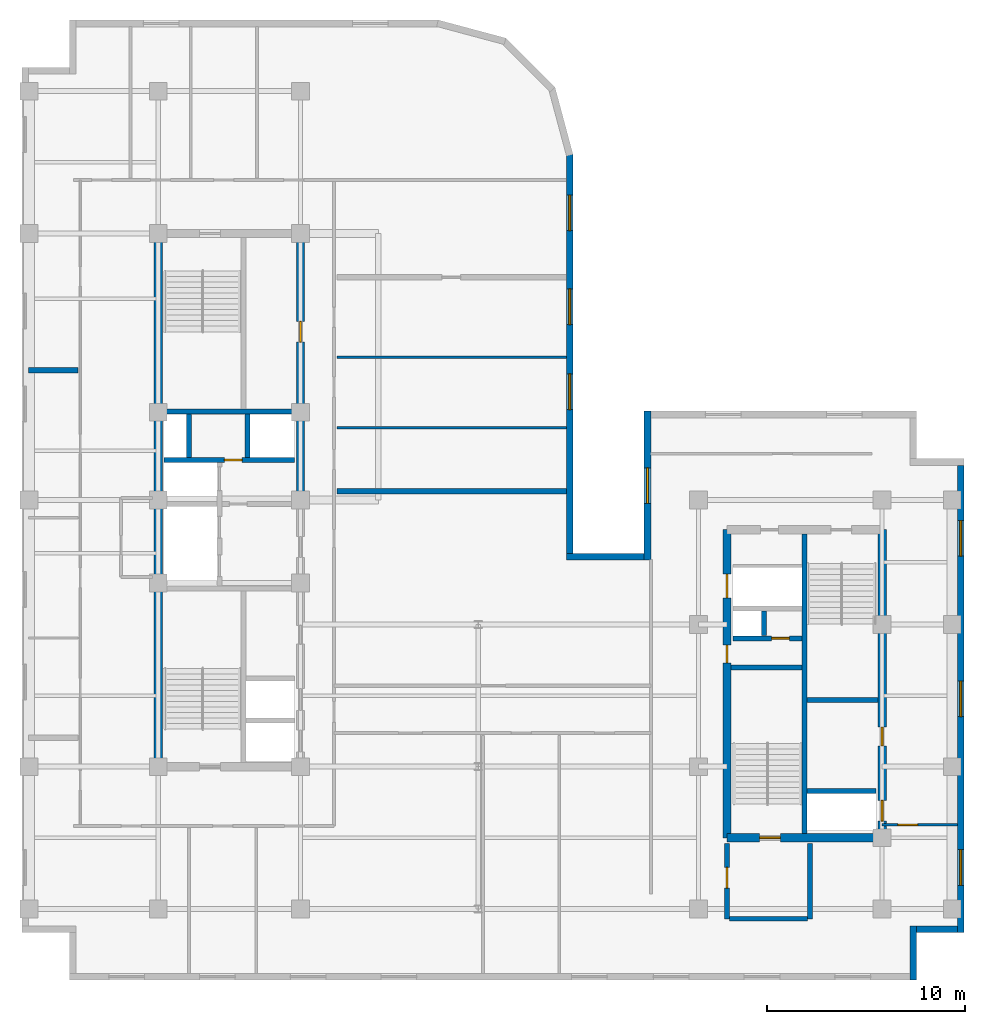
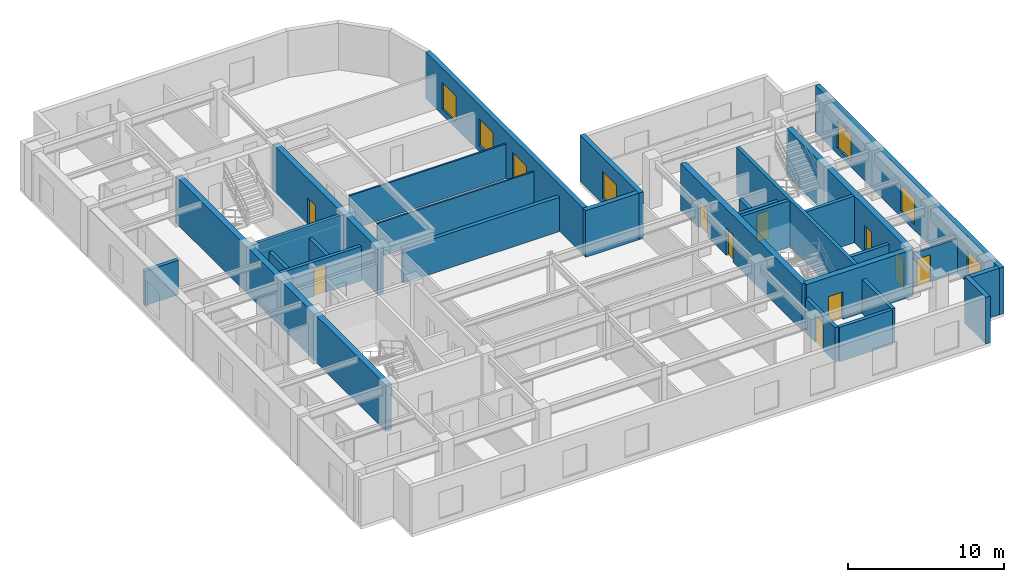
# One storey, part 5 of 10: 29 walls, 10 doors, 7 windows, 17 openings.
"""IFC4 building model written with IfcOpenShell, lengths in metres."""

from ifc_helpers import new_model, entity, si_unit, converted_unit, direction, frame, origin_with_axes, origin_2d_with_axis, place, context, subcontext, project, spatial, polyline, rectangle, outline, extrude, material, layer, layer_set, type_object, element, fill, save


model = new_model("IFC4")

# Units and contexts
model_context = context("Model", 3, precision=1e-05, world=origin_with_axes(), true_north=direction((0.0, 1.0)))
body_context = subcontext(model_context, "Body", "Model", "MODEL_VIEW")
ifc_project = project(units=[si_unit("LENGTHUNIT", "METRE"), si_unit("AREAUNIT", "SQUARE_METRE"), si_unit("VOLUMEUNIT", "CUBIC_METRE"), converted_unit("PLANEANGLEUNIT", "DEGREE", entity("IfcPlaneAngleMeasure", 0.017453292519943295), si_unit("PLANEANGLEUNIT", "RADIAN"), dimensions=[0, 0, 0, 0, 0, 0, 0]), si_unit("MASSUNIT", "GRAM", prefix="KILO"), si_unit("THERMODYNAMICTEMPERATUREUNIT", "KELVIN")], contexts=[model_context])

# Site, building, storey
site_placement = place(None, origin_with_axes())
site = spatial("IfcSite", under=ifc_project, at=site_placement, CompositionType="ELEMENT")
building_placement = place(site_placement, origin_with_axes())
building = spatial("IfcBuilding", under=site, at=building_placement, Name="Varnlund Millrace Tower", CompositionType="ELEMENT")
storey_placement = place(building_placement, frame((0.0, 0.0, 228.6), z_axis=(0.0, 0.0, 1.0), x_axis=(1.0, 0.0, 0.0)))
storey = spatial("IfcBuildingStorey", under=building, at=storey_placement, Name="L56", CompositionType="ELEMENT", Elevation=228.6)

# Wall
ifc_material_1 = material(Name="Concrete C60/75", Category="concrete")
ifc_layer_1 = layer(ifc_material_1, 0.42, Name="Concrete C60/75")
ifc_layer_set_1 = layer_set([ifc_layer_1], Name="Concrete C60/75")
wall_type_1 = type_object("IfcWallType", Name="Type-CoreWall-Shear-420-C60", PredefinedType="SHEAR", material=ifc_layer_set_1)
wall_1_placement = place(storey_placement, frame((11.4, 10.8, 0.0), z_axis=(0.0, 0.0, 1.0), x_axis=(0.0, 1.0, 0.0)))
element("IfcWall", 1, at=wall_1_placement, inside=storey, type_object=wall_type_1, Name="Type-CoreWall-Shear-420-C60", PredefinedType="SHEAR", context=body_context, shape_type="SweptSolid", body=[
    extrude(outline(polyline([(0.0, -0.21), (27.0, -0.21), (27.0, 0.21), (0.0, 0.21), (0.0, -0.21)])), origin_with_axes(), (0.0, 0.0, 1.0), 3.66),
])

# Wall, opening, door
wall_2_placement = place(storey_placement, frame((18.6, 24.3, 0.0), z_axis=(0.0, 0.0, 1.0), x_axis=(0.0, 1.0, 0.0)))
wall_2 = element("IfcWall", 2, at=wall_2_placement, inside=storey, type_object=wall_type_1, Name="Type-CoreWall-Shear-420-C60", PredefinedType="SHEAR", context=body_context, shape_type="SweptSolid", body=[
    extrude(outline(polyline([(0.0, -0.21), (13.5, -0.21), (13.5, 0.21), (0.0, 0.21), (0.0, -0.21)])), origin_with_axes(), (0.0, 0.0, 1.0), 3.66),
])
opening_1_placement = place(wall_2_placement, frame((8.525, 0.0, 0.0), z_axis=(0.0, 0.0, 1.0), x_axis=(1.0, 0.0, 0.0)))
opening_1 = element("IfcOpeningElement", 3, at=opening_1_placement, cuts=wall_2, Name="Opening L56:DR-RECL-M", PredefinedType="OPENING", context=body_context, shape_type="SweptSolid", body=[
    extrude(rectangle(XDim=1.05, YDim=0.44, at=origin_2d_with_axis()), origin_with_axes(), (0.0, 0.0, 1.0), 2.15),
])
ifc_material_2 = material(Name="Smoke-barrier hollow steel fire door", Category="steel")
door_type_1 = type_object("IfcDoorType", Name="Type-FireDoor-Lobby-1050X2150", OperationType="NOTDEFINED", PredefinedType="DOOR", material=ifc_material_2)
door_1_placement = place(wall_2_placement, frame((8.525, 0.0, 0.0), z_axis=(0.0, 0.0, 1.0), x_axis=(1.0, 0.0, 0.0)))
door_1 = element("IfcDoor", 4, at=door_1_placement, inside=storey, type_object=door_type_1, Name="Type-FireDoor-Lobby-1050X2150", OperationType="SINGLE_SWING_LEFT", OverallHeight=2.15, OverallWidth=1.05, PredefinedType="DOOR", context=body_context, shape_type="SweptSolid", body=[
    extrude(rectangle(XDim=1.05, YDim=0.09, at=origin_2d_with_axis()), origin_with_axes(), (0.0, 0.0, 1.0), 2.15),
])
fill(opening_1, door_1)

# Wall, openings, doors
wall_3_placement = place(storey_placement, frame((40.2, 7.2, 0.0), z_axis=(0.0, 0.0, 1.0), x_axis=(0.0, 1.0, 0.0)))
wall_3 = element("IfcWall", 5, at=wall_3_placement, inside=storey, type_object=wall_type_1, Name="Type-CoreWall-Shear-420-C60", PredefinedType="SHEAR", context=body_context, shape_type="SweptSolid", body=[
    extrude(outline(polyline([(0.0, -0.21), (15.6, -0.21), (15.6, 0.21), (0.0, 0.21), (0.0, -0.21)])), origin_with_axes(), (0.0, 0.0, 1.0), 3.66),
])
opening_2_placement = place(wall_3_placement, frame((12.75, 0.0, 0.0), z_axis=(0.0, 0.0, 1.0), x_axis=(1.0, 0.0, 0.0)))
opening_2 = element("IfcOpeningElement", 6, at=opening_2_placement, cuts=wall_3, Name="Opening L56:LD-SRV2", PredefinedType="OPENING", context=body_context, shape_type="SweptSolid", body=[
    extrude(rectangle(XDim=1.2, YDim=0.44, at=origin_2d_with_axis()), origin_with_axes(), (0.0, 0.0, 1.0), 2.15),
])
opening_3_placement = place(wall_3_placement, frame((9.3, 0.0, 0.0), z_axis=(0.0, 0.0, 1.0), x_axis=(1.0, 0.0, 0.0)))
opening_3 = element("IfcOpeningElement", 7, at=opening_3_placement, cuts=wall_3, Name="Opening L56:DR-CB-JAN", PredefinedType="OPENING", context=body_context, shape_type="SweptSolid", body=[
    extrude(rectangle(XDim=0.9, YDim=0.44, at=origin_2d_with_axis()), origin_with_axes(), (0.0, 0.0, 1.0), 2.15),
])
ifc_material_3 = material(Name="Fire-rated hollow steel service closet door", Category="steel")
door_type_2 = type_object("IfcDoorType", Name="Type-FireDoor-Closet-900X2150", OperationType="NOTDEFINED", PredefinedType="DOOR", material=ifc_material_3)
door_2_placement = place(wall_3_placement, frame((9.3, 0.0, 0.0), z_axis=(0.0, 0.0, 1.0), x_axis=(1.0, 0.0, 0.0)))
door_2 = element("IfcDoor", 8, at=door_2_placement, inside=storey, type_object=door_type_2, Name="Type-FireDoor-Closet-900X2150", OperationType="SINGLE_SWING_RIGHT", OverallHeight=2.15, OverallWidth=0.9, PredefinedType="DOOR", context=body_context, shape_type="SweptSolid", body=[
    extrude(rectangle(XDim=0.9, YDim=0.09, at=origin_2d_with_axis()), origin_with_axes(), (0.0, 0.0, 1.0), 2.15),
])
fill(opening_3, door_2)
ifc_material_4 = material(Name="Heavy-duty freight sliding landing door")
door_type_3 = type_object("IfcDoorType", Name="Type-LiftLandingDoor-Service-1200X2150", OperationType="NOTDEFINED", PredefinedType="DOOR", material=ifc_material_4)
door_3_placement = place(wall_3_placement, frame((12.75, 0.0, 0.0), z_axis=(0.0, 0.0, 1.0), x_axis=(1.0, 0.0, 0.0)))
door_3 = element("IfcDoor", 9, at=door_3_placement, inside=storey, type_object=door_type_3, Name="Type-LiftLandingDoor-Service-1200X2150", OperationType="DOUBLE_DOOR_SLIDING", OverallHeight=2.15, OverallWidth=1.2, PredefinedType="DOOR", context=body_context, shape_type="SweptSolid", body=[
    extrude(rectangle(XDim=1.2, YDim=0.09, at=origin_2d_with_axis()), origin_with_axes(), (0.0, 0.0, 1.0), 2.15),
])
fill(opening_2, door_3)

# Wall, opening, door
wall_4_placement = place(storey_placement, frame((40.2, 7.2, 0.0), z_axis=(0.0, 0.0, 1.0), x_axis=(1.0, 0.0, 0.0)))
wall_4 = element("IfcWall", 10, at=wall_4_placement, inside=storey, type_object=wall_type_1, Name="Type-CoreWall-Shear-420-C60", PredefinedType="SHEAR", context=body_context, shape_type="SweptSolid", body=[
    extrude(outline(polyline([(0.0, -0.21), (7.85, -0.21), (7.85, 0.21), (0.0, 0.21), (0.0, -0.21)])), origin_with_axes(), (0.0, 0.0, 1.0), 3.66),
])
opening_4_placement = place(wall_4_placement, frame((2.175, 0.0, 0.0), z_axis=(0.0, 0.0, 1.0), x_axis=(1.0, 0.0, 0.0)))
opening_4 = element("IfcOpeningElement", 11, at=opening_4_placement, cuts=wall_4, Name="Opening L56:DR-STB1", PredefinedType="OPENING", context=body_context, shape_type="SweptSolid", body=[
    extrude(rectangle(XDim=1.05, YDim=0.44, at=origin_2d_with_axis()), origin_with_axes(), (0.0, 0.0, 1.0), 2.15),
])
ifc_material_5 = material(Name="Fire-rated hollow steel door", Category="steel")
door_type_4 = type_object("IfcDoorType", Name="Type-FireDoor-Stair-1050X2150", OperationType="NOTDEFINED", PredefinedType="DOOR", material=ifc_material_5)
door_4_placement = place(wall_4_placement, frame((2.175, 0.0, 0.0), z_axis=(0.0, 0.0, 1.0), x_axis=(1.0, 0.0, 0.0)))
door_4 = element("IfcDoor", 12, at=door_4_placement, inside=storey, type_object=door_type_4, Name="Type-FireDoor-Stair-1050X2150", OperationType="SINGLE_SWING_LEFT", OverallHeight=2.15, OverallWidth=1.05, PredefinedType="DOOR", context=body_context, shape_type="SweptSolid", body=[
    extrude(rectangle(XDim=1.05, YDim=0.09, at=origin_2d_with_axis()), origin_with_axes(), (0.0, 0.0, 1.0), 2.15),
])
fill(opening_4, door_4)

# Wall, openings, doors
wall_5_placement = place(storey_placement, frame((48.05, 7.2, 0.0), z_axis=(0.0, 0.0, 1.0), x_axis=(0.0, 1.0, 0.0)))
wall_5 = element("IfcWall", 13, at=wall_5_placement, inside=storey, type_object=wall_type_1, Name="Type-CoreWall-Shear-420-C60", PredefinedType="SHEAR", context=body_context, shape_type="SweptSolid", body=[
    extrude(outline(polyline([(0.0, -0.21), (15.6, -0.21), (15.6, 0.21), (0.0, 0.21), (0.0, -0.21)])), origin_with_axes(), (0.0, 0.0, 1.0), 3.66),
])
opening_5_placement = place(wall_5_placement, frame((1.375, 0.0, 0.0), z_axis=(0.0, 0.0, 1.0), x_axis=(1.0, 0.0, 0.0)))
opening_5 = element("IfcOpeningElement", 14, at=opening_5_placement, cuts=wall_5, Name="Opening L56:LD-ELV-H3", PredefinedType="OPENING", context=body_context, shape_type="SweptSolid", body=[
    extrude(rectangle(XDim=1.05, YDim=0.44, at=origin_2d_with_axis()), origin_with_axes(), (0.0, 0.0, 1.0), 2.15),
])
opening_6_placement = place(wall_5_placement, frame((5.125, 0.0, 0.0), z_axis=(0.0, 0.0, 1.0), x_axis=(1.0, 0.0, 0.0)))
opening_6 = element("IfcOpeningElement", 15, at=opening_6_placement, cuts=wall_5, Name="Opening L56:DR-CB-WC", PredefinedType="OPENING", context=body_context, shape_type="SweptSolid", body=[
    extrude(rectangle(XDim=0.95, YDim=0.44, at=origin_2d_with_axis()), origin_with_axes(), (0.0, 0.0, 1.0), 2.15),
])
ifc_material_6 = material(Name="Fire-rated hollow steel core service door", Category="steel")
door_type_5 = type_object("IfcDoorType", Name="Type-FireDoor-Service-950X2150", OperationType="NOTDEFINED", PredefinedType="DOOR", material=ifc_material_6)
door_5_placement = place(wall_5_placement, frame((5.125, 0.0, 0.0), z_axis=(0.0, 0.0, 1.0), x_axis=(1.0, 0.0, 0.0)))
door_5 = element("IfcDoor", 16, at=door_5_placement, inside=storey, type_object=door_type_5, Name="Type-FireDoor-Service-950X2150", OperationType="SINGLE_SWING_LEFT", OverallHeight=2.15, OverallWidth=0.95, PredefinedType="DOOR", context=body_context, shape_type="SweptSolid", body=[
    extrude(rectangle(XDim=0.95, YDim=0.09, at=origin_2d_with_axis()), origin_with_axes(), (0.0, 0.0, 1.0), 2.15),
])
fill(opening_6, door_5)
ifc_material_7 = material(Name="Architectural bronze sliding landing door")
door_type_6 = type_object("IfcDoorType", Name="Type-LiftLandingDoor-Compact-1050X2150", OperationType="NOTDEFINED", PredefinedType="DOOR", material=ifc_material_7)
door_6_placement = place(wall_5_placement, frame((1.375, 0.0, 0.0), z_axis=(0.0, 0.0, 1.0), x_axis=(1.0, 0.0, 0.0)))
door_6 = element("IfcDoor", 17, at=door_6_placement, inside=storey, type_object=door_type_6, Name="Type-LiftLandingDoor-Compact-1050X2150", OperationType="SLIDING_TO_LEFT", OverallHeight=2.15, OverallWidth=1.05, PredefinedType="DOOR", context=body_context, shape_type="SweptSolid", body=[
    extrude(rectangle(XDim=1.05, YDim=0.09, at=origin_2d_with_axis()), origin_with_axes(), (0.0, 0.0, 1.0), 2.15),
])
fill(opening_5, door_6)

# Wall, opening, window
ifc_material_8 = material(Name="Precast concrete C50/60", Category="concrete")
ifc_layer_2 = layer(ifc_material_8, 0.34, Name="Precast concrete C50/60")
ifc_layer_set_2 = layer_set([ifc_layer_2], Name="Precast concrete C50/60")
wall_type_2 = type_object("IfcWallType", Name="Type-ExtWall-Precast-Upper-340", PredefinedType="SOLIDWALL", material=ifc_layer_set_2)
wall_6_placement = place(storey_placement, frame((36.17, 21.26, 0.0), z_axis=(0.0, 0.0, 1.0), x_axis=(0.0, 1.0, 0.0)))
wall_6 = element("IfcWall", 18, at=wall_6_placement, inside=storey, type_object=wall_type_2, Name="Type-ExtWall-Precast-Upper-340", PredefinedType="SOLIDWALL", context=body_context, shape_type="SweptSolid", body=[
    extrude(outline(polyline([(0.0, -0.17), (7.54, -0.17), (7.54, 0.17), (0.0, 0.17), (0.0, -0.17)])), origin_with_axes(), (0.0, 0.0, 1.0), 3.66),
])
opening_7_placement = place(wall_6_placement, frame((3.77, 0.0, 0.45), z_axis=(0.0, 0.0, 1.0), x_axis=(1.0, 0.0, 0.0)))
opening_7 = element("IfcOpeningElement", 19, at=opening_7_placement, cuts=wall_6, Name="Opening L56:WN-01", PredefinedType="OPENING", context=body_context, shape_type="SweptSolid", body=[
    extrude(rectangle(XDim=1.8, YDim=0.36, at=origin_2d_with_axis()), origin_with_axes(), (0.0, 0.0, 1.0), 2.1),
])
ifc_material_9 = material(Name="Argon low-e triple glazing in thermally broken bronze frame", Category="glass")
window_type = type_object("IfcWindowType", Name="Type-Window-Punched-1800X2100", PartitioningType="SINGLE_PANEL", PredefinedType="WINDOW", material=ifc_material_9)
window_1_placement = place(wall_6_placement, frame((3.77, 0.0, 0.45), z_axis=(0.0, 0.0, 1.0), x_axis=(1.0, 0.0, 0.0)))
window_1 = element("IfcWindow", 20, at=window_1_placement, inside=storey, type_object=window_type, Name="Type-Window-Punched-1800X2100", OverallHeight=2.1, OverallWidth=1.8, PredefinedType="WINDOW", context=body_context, shape_type="SweptSolid", body=[
    extrude(rectangle(XDim=1.8, YDim=0.09, at=origin_2d_with_axis()), origin_with_axes(), (0.0, 0.0, 1.0), 2.1),
])
fill(opening_7, window_1)

# Wall, openings, windows
wall_7_placement = place(storey_placement, frame((52.03, 26.06, 0.0), z_axis=(0.0, 0.0, 1.0), x_axis=(0.0, -1.0, 0.0)))
wall_7 = element("IfcWall", 21, at=wall_7_placement, inside=storey, type_object=wall_type_2, Name="Type-ExtWall-Precast-Upper-340", PredefinedType="SOLIDWALL", context=body_context, shape_type="SweptSolid", body=[
    extrude(outline(polyline([(0.0, -0.17), (23.66, -0.17), (23.66, 0.17), (0.0, 0.17), (0.0, -0.17)])), origin_with_axes(), (0.0, 0.0, 1.0), 3.66),
])
opening_8_placement = place(wall_7_placement, frame((3.696, 0.0, 0.45), z_axis=(0.0, 0.0, 1.0), x_axis=(1.0, 0.0, 0.0)))
opening_8 = element("IfcOpeningElement", 22, at=opening_8_placement, cuts=wall_7, Name="Opening L56:WN-04", PredefinedType="OPENING", context=body_context, shape_type="SweptSolid", body=[
    extrude(rectangle(XDim=1.8, YDim=0.36, at=origin_2d_with_axis()), origin_with_axes(), (0.0, 0.0, 1.0), 2.1),
])
opening_9_placement = place(wall_7_placement, frame((11.83, 0.0, 0.45), z_axis=(0.0, 0.0, 1.0), x_axis=(1.0, 0.0, 0.0)))
opening_9 = element("IfcOpeningElement", 23, at=opening_9_placement, cuts=wall_7, Name="Opening L56:WN-05", PredefinedType="OPENING", context=body_context, shape_type="SweptSolid", body=[
    extrude(rectangle(XDim=1.8, YDim=0.36, at=origin_2d_with_axis()), origin_with_axes(), (0.0, 0.0, 1.0), 2.1),
])
opening_10_placement = place(wall_7_placement, frame((20.364, 0.0, 0.45), z_axis=(0.0, 0.0, 1.0), x_axis=(1.0, 0.0, 0.0)))
opening_10 = element("IfcOpeningElement", 24, at=opening_10_placement, cuts=wall_7, Name="Opening L56:WN-06", PredefinedType="OPENING", context=body_context, shape_type="SweptSolid", body=[
    extrude(rectangle(XDim=1.8, YDim=0.36, at=origin_2d_with_axis()), origin_with_axes(), (0.0, 0.0, 1.0), 2.1),
])
window_2_placement = place(wall_7_placement, frame((3.696, 0.0, 0.45), z_axis=(0.0, 0.0, 1.0), x_axis=(1.0, 0.0, 0.0)))
window_2 = element("IfcWindow", 25, at=window_2_placement, inside=storey, type_object=window_type, Name="Type-Window-Punched-1800X2100", OverallHeight=2.1, OverallWidth=1.8, PredefinedType="WINDOW", context=body_context, shape_type="SweptSolid", body=[
    extrude(rectangle(XDim=1.8, YDim=0.09, at=origin_2d_with_axis()), origin_with_axes(), (0.0, 0.0, 1.0), 2.1),
])
fill(opening_8, window_2)
window_3_placement = place(wall_7_placement, frame((11.83, 0.0, 0.45), z_axis=(0.0, 0.0, 1.0), x_axis=(1.0, 0.0, 0.0)))
window_3 = element("IfcWindow", 26, at=window_3_placement, inside=storey, type_object=window_type, Name="Type-Window-Punched-1800X2100", OverallHeight=2.1, OverallWidth=1.8, PredefinedType="WINDOW", context=body_context, shape_type="SweptSolid", body=[
    extrude(rectangle(XDim=1.8, YDim=0.09, at=origin_2d_with_axis()), origin_with_axes(), (0.0, 0.0, 1.0), 2.1),
])
fill(opening_9, window_3)
window_4_placement = place(wall_7_placement, frame((20.364, 0.0, 0.45), z_axis=(0.0, 0.0, 1.0), x_axis=(1.0, 0.0, 0.0)))
window_4 = element("IfcWindow", 27, at=window_4_placement, inside=storey, type_object=window_type, Name="Type-Window-Punched-1800X2100", OverallHeight=2.1, OverallWidth=1.8, PredefinedType="WINDOW", context=body_context, shape_type="SweptSolid", body=[
    extrude(rectangle(XDim=1.8, YDim=0.09, at=origin_2d_with_axis()), origin_with_axes(), (0.0, 0.0, 1.0), 2.1),
])
fill(opening_10, window_4)

# Walls
wall_8_placement = place(storey_placement, frame((51.86, 2.57, 0.0), z_axis=(0.0, 0.0, 1.0), x_axis=(-1.0, 0.0, 0.0)))
element("IfcWall", 28, at=wall_8_placement, inside=storey, type_object=wall_type_2, Name="Type-ExtWall-Precast-Upper-340", PredefinedType="SOLIDWALL", context=body_context, shape_type="SweptSolid", body=[
    extrude(outline(polyline([(0.0, -0.17), (2.06, -0.17), (2.06, 0.17), (0.0, 0.17), (0.0, -0.17)])), origin_with_axes(), (0.0, 0.0, 1.0), 3.66),
])
wall_9_placement = place(storey_placement, frame((49.63, 2.74, 0.0), z_axis=(0.0, 0.0, 1.0), x_axis=(0.0, -1.0, 0.0)))
element("IfcWall", 29, at=wall_9_placement, inside=storey, type_object=wall_type_2, Name="Type-ExtWall-Precast-Upper-340", PredefinedType="SOLIDWALL", context=body_context, shape_type="SweptSolid", body=[
    extrude(outline(polyline([(0.0, -0.17), (2.74, -0.17), (2.74, 0.17), (0.0, 0.17), (0.0, -0.17)])), origin_with_axes(), (0.0, 0.0, 1.0), 3.66),
])

# Wall, openings, windows
wall_10_placement = place(storey_placement, frame((32.23, 41.82, 0.0), z_axis=(0.0, 0.0, 1.0), x_axis=(0.0, -1.0, 0.0)))
wall_10 = element("IfcWall", 30, at=wall_10_placement, inside=storey, type_object=wall_type_2, Name="Type-ExtWall-Precast-Upper-340", PredefinedType="SOLIDWALL", context=body_context, shape_type="SweptSolid", body=[
    extrude(outline(polyline([(0.0, -0.17), (20.22, -0.17), (20.22, 0.17), (0.0, 0.17), (0.0, -0.17)])), origin_with_axes(), (0.0, 0.0, 1.0), 3.66),
])
opening_11_placement = place(wall_10_placement, frame((2.978, 0.0, 0.45), z_axis=(0.0, 0.0, 1.0), x_axis=(1.0, 0.0, 0.0)))
opening_11 = element("IfcOpeningElement", 31, at=opening_11_placement, cuts=wall_10, Name="Opening L56:WN-23", PredefinedType="OPENING", context=body_context, shape_type="SweptSolid", body=[
    extrude(rectangle(XDim=1.8, YDim=0.36, at=origin_2d_with_axis()), origin_with_axes(), (0.0, 0.0, 1.0), 2.1),
])
opening_12_placement = place(wall_10_placement, frame((7.732, 0.0, 0.45), z_axis=(0.0, 0.0, 1.0), x_axis=(1.0, 0.0, 0.0)))
opening_12 = element("IfcOpeningElement", 32, at=opening_12_placement, cuts=wall_10, Name="Opening L56:WN-24", PredefinedType="OPENING", context=body_context, shape_type="SweptSolid", body=[
    extrude(rectangle(XDim=1.8, YDim=0.36, at=origin_2d_with_axis()), origin_with_axes(), (0.0, 0.0, 1.0), 2.1),
])
opening_13_placement = place(wall_10_placement, frame((12.037, 0.0, 0.45), z_axis=(0.0, 0.0, 1.0), x_axis=(1.0, 0.0, 0.0)))
opening_13 = element("IfcOpeningElement", 33, at=opening_13_placement, cuts=wall_10, Name="Opening L56:WN-25", PredefinedType="OPENING", context=body_context, shape_type="SweptSolid", body=[
    extrude(rectangle(XDim=1.8, YDim=0.36, at=origin_2d_with_axis()), origin_with_axes(), (0.0, 0.0, 1.0), 2.1),
])
window_5_placement = place(wall_10_placement, frame((2.978, 0.0, 0.45), z_axis=(0.0, 0.0, 1.0), x_axis=(1.0, 0.0, 0.0)))
window_5 = element("IfcWindow", 34, at=window_5_placement, inside=storey, type_object=window_type, Name="Type-Window-Punched-1800X2100", OverallHeight=2.1, OverallWidth=1.8, PredefinedType="WINDOW", context=body_context, shape_type="SweptSolid", body=[
    extrude(rectangle(XDim=1.8, YDim=0.09, at=origin_2d_with_axis()), origin_with_axes(), (0.0, 0.0, 1.0), 2.1),
])
fill(opening_11, window_5)
window_6_placement = place(wall_10_placement, frame((7.732, 0.0, 0.45), z_axis=(0.0, 0.0, 1.0), x_axis=(1.0, 0.0, 0.0)))
window_6 = element("IfcWindow", 35, at=window_6_placement, inside=storey, type_object=window_type, Name="Type-Window-Punched-1800X2100", OverallHeight=2.1, OverallWidth=1.8, PredefinedType="WINDOW", context=body_context, shape_type="SweptSolid", body=[
    extrude(rectangle(XDim=1.8, YDim=0.09, at=origin_2d_with_axis()), origin_with_axes(), (0.0, 0.0, 1.0), 2.1),
])
fill(opening_12, window_6)
window_7_placement = place(wall_10_placement, frame((12.037, 0.0, 0.45), z_axis=(0.0, 0.0, 1.0), x_axis=(1.0, 0.0, 0.0)))
window_7 = element("IfcWindow", 36, at=window_7_placement, inside=storey, type_object=window_type, Name="Type-Window-Punched-1800X2100", OverallHeight=2.1, OverallWidth=1.8, PredefinedType="WINDOW", context=body_context, shape_type="SweptSolid", body=[
    extrude(rectangle(XDim=1.8, YDim=0.09, at=origin_2d_with_axis()), origin_with_axes(), (0.0, 0.0, 1.0), 2.1),
])
fill(opening_13, window_7)

# Walls
wall_11_placement = place(storey_placement, frame((32.06, 21.43, 0.0), z_axis=(0.0, 0.0, 1.0), x_axis=(1.0, 0.0, 0.0)))
element("IfcWall", 37, at=wall_11_placement, inside=storey, type_object=wall_type_2, Name="Type-ExtWall-Precast-Upper-340", PredefinedType="SOLIDWALL", context=body_context, shape_type="SweptSolid", body=[
    extrude(outline(polyline([(0.0, -0.17), (3.94, -0.17), (3.94, 0.17), (0.0, 0.17), (0.0, -0.17)])), origin_with_axes(), (0.0, 0.0, 1.0), 3.66),
])
ifc_material_10 = material(Name="Double-stud STC-60 conference acoustic partition", Category="gypsum")
ifc_layer_3 = layer(ifc_material_10, 0.28, Name="Double-stud STC-60 conference acoustic partition")
ifc_layer_set_3 = layer_set([ifc_layer_3], Name="Double-stud STC-60 conference acoustic partition")
wall_type_3 = type_object("IfcWallType", Name="Type-Partition-Acoustic-280", PredefinedType="PARTITIONING", material=ifc_layer_set_3)
wall_12_placement = place(storey_placement, frame((4.835, 30.863, 0.0), z_axis=(0.0, 0.0, 1.0), x_axis=(1.0, 0.0, 0.0)))
element("IfcWall", 38, at=wall_12_placement, inside=storey, type_object=wall_type_3, Name="Type-Partition-Acoustic-280", PredefinedType="PARTITIONING", context=body_context, shape_type="SweptSolid", body=[
    extrude(outline(polyline([(0.0, -0.14), (2.495, -0.14), (2.495, 0.14), (0.0, 0.14), (0.0, -0.14)])), origin_with_axes(), (0.0, 0.0, 1.0), 2.7),
])
wall_13_placement = place(storey_placement, frame((20.45, 24.743, 0.0), z_axis=(0.0, 0.0, 1.0), x_axis=(1.0, 0.0, 0.0)))
element("IfcWall", 39, at=wall_13_placement, inside=storey, type_object=wall_type_3, Name="Type-Partition-Acoustic-280", PredefinedType="PARTITIONING", context=body_context, shape_type="SweptSolid", body=[
    extrude(outline(polyline([(0.0, -0.14), (11.615, -0.14), (11.615, 0.14), (0.0, 0.14), (0.0, -0.14)])), origin_with_axes(), (0.0, 0.0, 1.0), 2.7),
])
ifc_material_11 = material(Name="Gypsum board tenant partition", Category="gypsum")
ifc_layer_4 = layer(ifc_material_11, 0.125, Name="Gypsum board tenant partition")
ifc_layer_set_4 = layer_set([ifc_layer_4], Name="Gypsum board tenant partition")
wall_type_4 = type_object("IfcWallType", Name="Type-Partition-Tenant-125", PredefinedType="PARTITIONING", material=ifc_layer_set_4)
for number, where, z_axis, x_axis, name in (
    (40, (20.45, 27.959, 0.0), (0.0, 0.0, 1.0), (1.0, 0.0, 0.0), "Type-Partition-Tenant-125"),
    (41, (20.45, 31.532, 0.0), (0.0, 0.0, 1.0), (1.0, 0.0, 0.0), "Type-Partition-Tenant-125"),
):
    element("IfcWall", number, at=place(storey_placement, frame(where, z_axis=z_axis, x_axis=x_axis)), inside=storey, type_object=wall_type_4, Name=name, PredefinedType="PARTITIONING", context=body_context, shape_type="SweptSolid", body=[
        extrude(outline(polyline([(0.0, -0.0625), (11.615, -0.0625), (11.615, 0.0625), (0.0, 0.0625), (0.0, -0.0625)])), origin_with_axes(), (0.0, 0.0, 1.0), 2.7),
    ])

# Wall, opening, door
wall_14_placement = place(storey_placement, frame((51.865, 7.85, 0.0), z_axis=(0.0, 0.0, 1.0), x_axis=(-1.0, 0.0, 0.0)))
wall_14 = element("IfcWall", 42, at=wall_14_placement, inside=storey, type_object=wall_type_4, Name="Type-Partition-Tenant-125", PredefinedType="PARTITIONING", context=body_context, shape_type="SweptSolid", body=[
    extrude(outline(polyline([(0.0, -0.0625), (3.815, -0.0625), (3.815, 0.0625), (0.0, 0.0625), (0.0, -0.0625)])), origin_with_axes(), (0.0, 0.0, 1.0), 2.7),
])
opening_14_placement = place(wall_14_placement, frame((2.515, 0.0, 0.0), z_axis=(0.0, 0.0, 1.0), x_axis=(1.0, 0.0, 0.0)))
opening_14 = element("IfcOpeningElement", 43, at=opening_14_placement, cuts=wall_14, Name="Opening L56:DR-WBS-01", PredefinedType="OPENING", context=body_context, shape_type="SweptSolid", body=[
    extrude(rectangle(XDim=1.0, YDim=0.145, at=origin_2d_with_axis()), origin_with_axes(), (0.0, 0.0, 1.0), 2.15),
])
ifc_material_12 = material(Name="Solid-core white oak and bronze frame door")
door_type_7 = type_object("IfcDoorType", Name="Type-IntDoor-Office-1000X2150", OperationType="NOTDEFINED", PredefinedType="DOOR", material=ifc_material_12)
door_7_placement = place(wall_14_placement, frame((2.515, 0.0, 0.0), z_axis=(0.0, 0.0, 1.0), x_axis=(1.0, 0.0, 0.0)))
door_7 = element("IfcDoor", 44, at=door_7_placement, inside=storey, type_object=door_type_7, Name="Type-IntDoor-Office-1000X2150", OperationType="SINGLE_SWING_LEFT", OverallHeight=2.15, OverallWidth=1.0, PredefinedType="DOOR", context=body_context, shape_type="SweptSolid", body=[
    extrude(rectangle(XDim=1.0, YDim=0.075, at=origin_2d_with_axis()), origin_with_axes(), (0.0, 0.0, 1.0), 2.15),
])
fill(opening_14, door_7)

ifc_layer_5 = layer(ifc_material_1, 0.25, Name="Concrete C60/75")
ifc_layer_set_5 = layer_set([ifc_layer_5], Name="Concrete C60/75")
wall_type_5 = type_object("IfcWallType", Name="Type-ShaftWall-Fire-250", PredefinedType="SOLIDWALL", material=ifc_layer_set_5)
wall_15_placement = place(storey_placement, frame((11.7, 26.325, 0.0), z_axis=(0.0, 0.0, 1.0), x_axis=(1.0, 0.0, 0.0)))
wall_15 = element("IfcWall", 45, at=wall_15_placement, inside=storey, type_object=wall_type_5, Name="Type-ShaftWall-Fire-250", PredefinedType="SOLIDWALL", context=body_context, shape_type="SweptSolid", body=[
    extrude(outline(polyline([(0.0, -0.125), (6.6, -0.125), (6.6, 0.125), (0.0, 0.125), (0.0, -0.125)])), origin_with_axes(), (0.0, 0.0, 1.0), 2.7),
])
opening_15_placement = place(wall_15_placement, frame((3.5, 0.0, 0.0), z_axis=(0.0, 0.0, 1.0), x_axis=(1.0, 0.0, 0.0)))
opening_15 = element("IfcOpeningElement", 46, at=opening_15_placement, cuts=wall_15, Name="Opening L56:DR-CA-ELC", PredefinedType="OPENING", context=body_context, shape_type="SweptSolid", body=[
    extrude(rectangle(XDim=0.9, YDim=0.27, at=origin_2d_with_axis()), origin_with_axes(), (0.0, 0.0, 1.0), 2.15),
])
door_8_placement = place(wall_15_placement, frame((3.5, 0.0, 0.0), z_axis=(0.0, 0.0, 1.0), x_axis=(1.0, 0.0, 0.0)))
door_8 = element("IfcDoor", 47, at=door_8_placement, inside=storey, type_object=door_type_2, Name="Type-FireDoor-Closet-900X2150", OperationType="SINGLE_SWING_LEFT", OverallHeight=2.15, OverallWidth=0.9, PredefinedType="DOOR", context=body_context, shape_type="SweptSolid", body=[
    extrude(rectangle(XDim=0.9, YDim=0.09, at=origin_2d_with_axis()), origin_with_axes(), (0.0, 0.0, 1.0), 2.15),
])
fill(opening_15, door_8)

# Walls
for number, where, z_axis, x_axis, name in (
    (48, (12.96, 26.45, 0.0), (0.0, 0.0, 1.0), (0.0, 1.0, 0.0), "Type-ShaftWall-Fire-250"),
    (49, (15.925, 26.45, 0.0), (0.0, 0.0, 1.0), (0.0, 1.0, 0.0), "Type-ShaftWall-Fire-250"),
):
    element("IfcWall", number, at=place(storey_placement, frame(where, z_axis=z_axis, x_axis=x_axis)), inside=storey, type_object=wall_type_5, Name=name, PredefinedType="SOLIDWALL", context=body_context, shape_type="SweptSolid", body=[
        extrude(outline(polyline([(0.0, -0.125), (2.2, -0.125), (2.2, 0.125), (0.0, 0.125), (0.0, -0.125)])), origin_with_axes(), (0.0, 0.0, 1.0), 2.7),
    ])

# Wall, opening, door
wall_16_placement = place(storey_placement, frame((40.5, 17.3, 0.0), z_axis=(0.0, 0.0, 1.0), x_axis=(1.0, 0.0, 0.0)))
wall_16 = element("IfcWall", 50, at=wall_16_placement, inside=storey, type_object=wall_type_5, Name="Type-ShaftWall-Fire-250", PredefinedType="SOLIDWALL", context=body_context, shape_type="SweptSolid", body=[
    extrude(outline(polyline([(0.0, -0.125), (3.5, -0.125), (3.5, 0.125), (0.0, 0.125), (0.0, -0.125)])), origin_with_axes(), (0.0, 0.0, 1.0), 2.7),
])
opening_16_placement = place(wall_16_placement, frame((2.4, 0.0, 0.0), z_axis=(0.0, 0.0, 1.0), x_axis=(1.0, 0.0, 0.0)))
opening_16 = element("IfcOpeningElement", 51, at=opening_16_placement, cuts=wall_16, Name="Opening L56:DR-CB-ELC", PredefinedType="OPENING", context=body_context, shape_type="SweptSolid", body=[
    extrude(rectangle(XDim=0.9, YDim=0.27, at=origin_2d_with_axis()), origin_with_axes(), (0.0, 0.0, 1.0), 2.15),
])
door_9_placement = place(wall_16_placement, frame((2.4, 0.0, 0.0), z_axis=(0.0, 0.0, 1.0), x_axis=(1.0, 0.0, 0.0)))
door_9 = element("IfcDoor", 52, at=door_9_placement, inside=storey, type_object=door_type_2, Name="Type-FireDoor-Closet-900X2150", OperationType="SINGLE_SWING_LEFT", OverallHeight=2.15, OverallWidth=0.9, PredefinedType="DOOR", context=body_context, shape_type="SweptSolid", body=[
    extrude(rectangle(XDim=0.9, YDim=0.09, at=origin_2d_with_axis()), origin_with_axes(), (0.0, 0.0, 1.0), 2.15),
])
fill(opening_16, door_9)

# Wall
wall_17_placement = place(storey_placement, frame((42.075, 17.43, 0.0), z_axis=(0.0, 0.0, 1.0), x_axis=(0.0, 1.0, 0.0)))
element("IfcWall", 53, at=wall_17_placement, inside=storey, type_object=wall_type_5, Name="Type-ShaftWall-Fire-250", PredefinedType="SOLIDWALL", context=body_context, shape_type="SweptSolid", body=[
    extrude(outline(polyline([(0.0, -0.125), (1.24, -0.125), (1.24, 0.125), (0.0, 0.125), (0.0, -0.125)])), origin_with_axes(), (0.0, 0.0, 1.0), 2.7),
])

# Wall, opening, door
wall_18_placement = place(storey_placement, frame((40.2, 3.1, 0.0), z_axis=(0.0, 0.0, 1.0), x_axis=(0.0, 1.0, 0.0)))
wall_18 = element("IfcWall", 54, at=wall_18_placement, inside=storey, type_object=wall_type_5, Name="Type-ShaftWall-Fire-250", PredefinedType="SOLIDWALL", context=body_context, shape_type="SweptSolid", body=[
    extrude(outline(polyline([(0.0, -0.125), (3.8, -0.125), (3.8, 0.125), (0.0, 0.125), (0.0, -0.125)])), origin_with_axes(), (0.0, 0.0, 1.0), 2.7),
])
opening_17_placement = place(wall_18_placement, frame((2.075, 0.0, 0.0), z_axis=(0.0, 0.0, 1.0), x_axis=(1.0, 0.0, 0.0)))
opening_17 = element("IfcOpeningElement", 55, at=opening_17_placement, cuts=wall_18, Name="Opening L56:DR-FFLOB-B", PredefinedType="OPENING", context=body_context, shape_type="SweptSolid", body=[
    extrude(rectangle(XDim=1.05, YDim=0.27, at=origin_2d_with_axis()), origin_with_axes(), (0.0, 0.0, 1.0), 2.15),
])
door_10_placement = place(wall_18_placement, frame((2.075, 0.0, 0.0), z_axis=(0.0, 0.0, 1.0), x_axis=(1.0, 0.0, 0.0)))
door_10 = element("IfcDoor", 56, at=door_10_placement, inside=storey, type_object=door_type_1, Name="Type-FireDoor-Lobby-1050X2150", OperationType="SINGLE_SWING_LEFT", OverallHeight=2.15, OverallWidth=1.05, PredefinedType="DOOR", context=body_context, shape_type="SweptSolid", body=[
    extrude(rectangle(XDim=1.05, YDim=0.09, at=origin_2d_with_axis()), origin_with_axes(), (0.0, 0.0, 1.0), 2.15),
])
fill(opening_17, door_10)

# Walls
wall_19_placement = place(storey_placement, frame((40.325, 3.1, 0.0), z_axis=(0.0, 0.0, 1.0), x_axis=(1.0, 0.0, 0.0)))
element("IfcWall", 57, at=wall_19_placement, inside=storey, type_object=wall_type_5, Name="Type-ShaftWall-Fire-250", PredefinedType="SOLIDWALL", context=body_context, shape_type="SweptSolid", body=[
    extrude(outline(polyline([(0.0, -0.125), (3.95, -0.125), (3.95, 0.125), (0.0, 0.125), (0.0, -0.125)])), origin_with_axes(), (0.0, 0.0, 1.0), 2.7),
])
wall_20_placement = place(storey_placement, frame((44.4, 3.1, 0.0), z_axis=(0.0, 0.0, 1.0), x_axis=(0.0, 1.0, 0.0)))
element("IfcWall", 58, at=wall_20_placement, inside=storey, type_object=wall_type_5, Name="Type-ShaftWall-Fire-250", PredefinedType="SOLIDWALL", context=body_context, shape_type="SweptSolid", body=[
    extrude(outline(polyline([(0.0, -0.125), (3.8, -0.125), (3.8, 0.125), (0.0, 0.125), (0.0, -0.125)])), origin_with_axes(), (0.0, 0.0, 1.0), 2.7),
])
wall_21_placement = place(storey_placement, frame((44.25, 9.56, 0.0), z_axis=(0.0, 0.0, 1.0), x_axis=(1.0, 0.0, 0.0)))
element("IfcWall", 59, at=wall_21_placement, inside=storey, type_object=wall_type_5, Name="Type-ShaftWall-Fire-250", PredefinedType="SOLIDWALL", context=body_context, shape_type="SweptSolid", body=[
    extrude(outline(polyline([(0.0, -0.125), (3.5, -0.125), (3.5, 0.125), (0.0, 0.125), (0.0, -0.125)])), origin_with_axes(), (0.0, 0.0, 1.0), 2.7),
])
wall_type_6 = type_object("IfcWallType", Name="Type-StairWall-Shear-250", PredefinedType="SHEAR", material=ifc_layer_set_5)
wall_22_placement = place(storey_placement, frame((11.61, 28.775, 0.0), z_axis=(0.0, 0.0, 1.0), x_axis=(1.0, 0.0, 0.0)))
element("IfcWall", 60, at=wall_22_placement, inside=storey, type_object=wall_type_6, Name="Type-StairWall-Shear-250", PredefinedType="SHEAR", context=body_context, shape_type="SweptSolid", body=[
    extrude(outline(polyline([(0.0, -0.125), (6.78, -0.125), (6.78, 0.125), (0.0, 0.125), (0.0, -0.125)])), origin_with_axes(), (0.0, 0.0, 1.0), 3.66),
])
wall_23_placement = place(storey_placement, frame((44.125, 7.41, 0.0), z_axis=(0.0, 0.0, 1.0), x_axis=(0.0, 1.0, 0.0)))
element("IfcWall", 61, at=wall_23_placement, inside=storey, type_object=wall_type_6, Name="Type-StairWall-Shear-250", PredefinedType="SHEAR", context=body_context, shape_type="SweptSolid", body=[
    extrude(outline(polyline([(0.0, -0.125), (15.18, -0.125), (15.18, 0.125), (0.0, 0.125), (0.0, -0.125)])), origin_with_axes(), (0.0, 0.0, 1.0), 3.66),
])
for number, where, z_axis, x_axis, name in (
    (62, (40.41, 15.825, 0.0), (0.0, 0.0, 1.0), (1.0, 0.0, 0.0), "Type-StairWall-Shear-250"),
    (63, (44.25, 14.175, 0.0), (0.0, 0.0, 1.0), (1.0, 0.0, 0.0), "Type-StairWall-Shear-250"),
):
    element("IfcWall", number, at=place(storey_placement, frame(where, z_axis=z_axis, x_axis=x_axis)), inside=storey, type_object=wall_type_6, Name=name, PredefinedType="SHEAR", context=body_context, shape_type="SweptSolid", body=[
        extrude(outline(polyline([(0.0, -0.125), (3.59, -0.125), (3.59, 0.125), (0.0, 0.125), (0.0, -0.125)])), origin_with_axes(), (0.0, 0.0, 1.0), 3.66),
    ])

save(model, "model.ifc")
